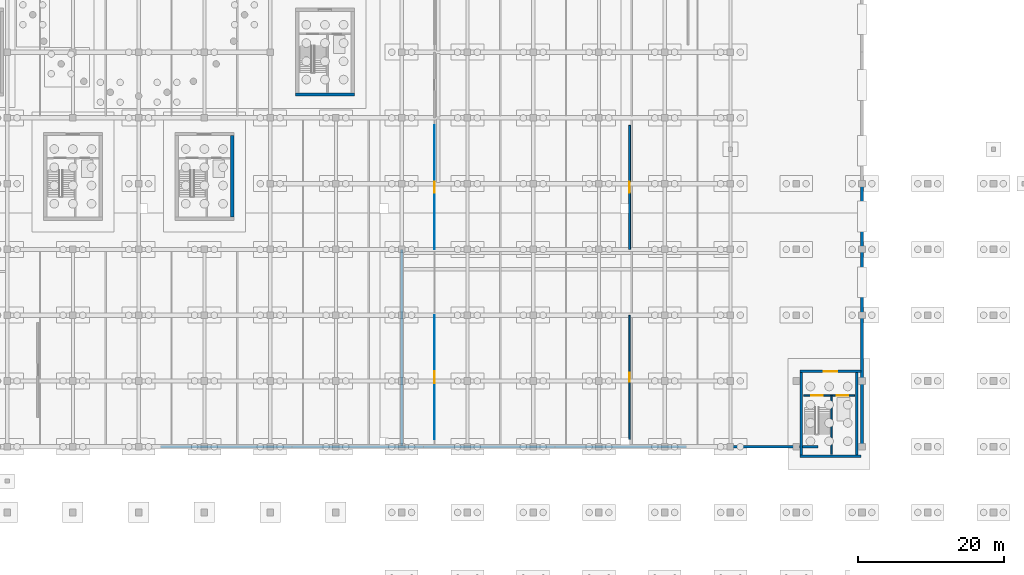
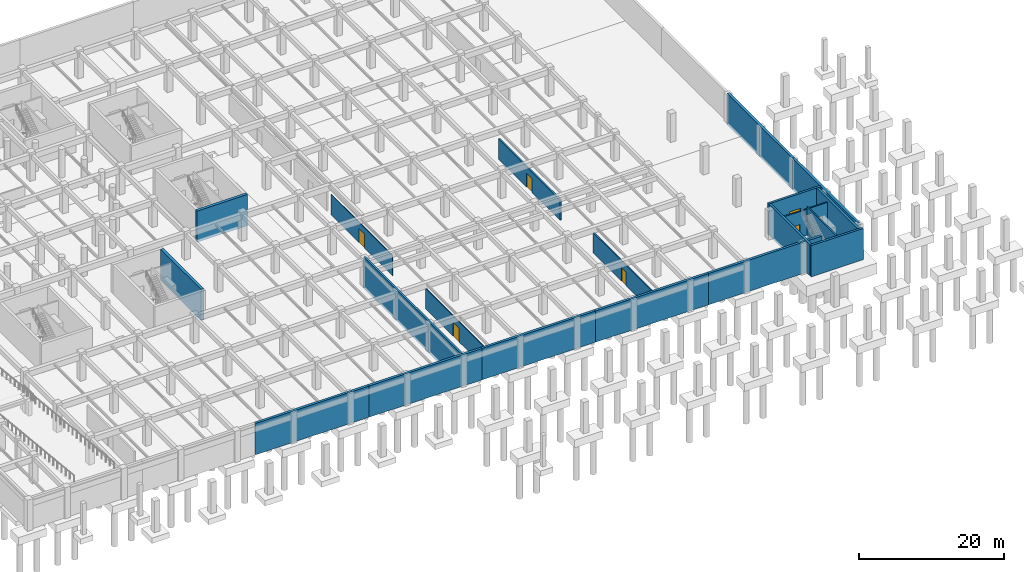
# One storey, part 19 of 27: 20 walls, 7 doors, 7 openings.
"""IFC4 building model written with IfcOpenShell, lengths in metres."""

from ifc_helpers import new_model, si_unit, direction, frame, frame_2d, origin, place, context, subcontext, project, spatial, rectangle, extrude, material, layer, layer_set, type_object, element, fill, save


model = new_model("IFC4")

# Units and contexts
model_context = context("Model", 3, precision=1e-05, world=origin(), true_north=direction((0.0, 1.0)))
body_context = subcontext(model_context, "Body", "Model", "MODEL_VIEW")
ifc_project = project(units=[si_unit("LENGTHUNIT", "METRE"), si_unit("AREAUNIT", "SQUARE_METRE"), si_unit("VOLUMEUNIT", "CUBIC_METRE"), si_unit("PLANEANGLEUNIT", "RADIAN"), si_unit("MASSUNIT", "GRAM", prefix="KILO")], contexts=[model_context])

# Site, building, storey
site_placement = place(None, origin())
site = spatial("IfcSite", under=ifc_project, at=site_placement, CompositionType="ELEMENT")
building_placement = place(site_placement, origin())
building = spatial("IfcBuilding", under=site, at=building_placement, Name="Dornveld Trade and Exhibition Forum", CompositionType="ELEMENT")
storey_placement = place(building_placement, frame((0.0, 0.0, -4.800048828125)))
storey = spatial("IfcBuildingStorey", under=building, at=storey_placement, Name="B1", CompositionType="ELEMENT", Elevation=-4.800048828125)

# Wall
ifc_material_1 = material(Name="Concrete C40/50", Category="concrete")
ifc_layer_1 = layer(ifc_material_1, 0.35009765625)
ifc_layer_set_1 = layer_set([ifc_layer_1], Name="Concrete C40/50")
wall_type_1 = type_object("IfcWallType", Name="WL-CORE-350", PredefinedType="SHEAR", material=ifc_layer_set_1)
wall_1_placement = place(storey_placement, frame((207.52490234375, 16.699951171875, -0.449951171875), z_axis=(0.0, 0.0, 1.0), x_axis=(1.0, 0.0, 0.0)))
element("IfcWall", 1, at=wall_1_placement, inside=storey, type_object=wall_type_1, Name="CORE-11 B1 shear wall S", PredefinedType="SHEAR", context=body_context, shape_type="SweptSolid", body=[
    extrude(rectangle(XDim=8.3251953125, YDim=0.35009765625, at=frame_2d((4.16259765625, 0.0))), origin(), (0.0, 0.0, 1.0), 5.25),
])

# Wall, opening, door
wall_2_placement = place(storey_placement, frame((207.52490234375, 28.300048828125, -0.449951171875), z_axis=(0.0, 0.0, 1.0), x_axis=(1.0, 0.0, 0.0)))
wall_2 = element("IfcWall", 2, at=wall_2_placement, inside=storey, type_object=wall_type_1, Name="CORE-11 B1 shear wall N", PredefinedType="SHEAR", context=body_context, shape_type="SweptSolid", body=[
    extrude(rectangle(XDim=8.3251953125, YDim=0.35009765625, at=frame_2d((4.16259765625, 0.0))), origin(), (0.0, 0.0, 1.0), 5.25),
])
opening_1_placement = place(wall_2_placement, frame((3.262451171875, 0.0, 0.449951171875)))
opening_1 = element("IfcOpeningElement", 3, at=opening_1_placement, cuts=wall_2, Name="Opening CD-11-B1", PredefinedType="OPENING", context=body_context, shape_type="SweptSolid", body=[
    extrude(rectangle(XDim=1.800048828125, YDim=2.300048828125, at=frame_2d((0.89990234375, 1.14990234375))), frame((0.0, 0.18505859375, 0.0), z_axis=(0.0, -1.0, 0.0), x_axis=(1.0, 0.0, 0.0)), (0.0, 0.0, 1.0), 0.3701171875),
])
ifc_material_2 = material(Name="Steel fire-rated double door assembly", Category="steel")
door_type_1 = type_object("IfcDoorType", Name="DR-CORE-180x230", OperationType="NOTDEFINED", PredefinedType="DOOR", material=ifc_material_2)
door_1_placement = place(opening_1_placement, origin())
door_1 = element("IfcDoor", 4, at=door_1_placement, inside=storey, type_object=door_type_1, Name="CORE-11 B1 core lobby double fire door", OperationType="DOUBLE_DOOR_SINGLE_SWING", OverallHeight=2.300048828125, OverallWidth=1.800048828125, PredefinedType="DOOR", context=body_context, shape_type="SweptSolid", body=[
    extrude(rectangle(XDim=1.800048828125, YDim=2.300048828125, at=frame_2d((0.89990234375, 1.14990234375))), frame((0.0, 0.02490234375, 0.0), z_axis=(0.0, -1.0, 0.0), x_axis=(1.0, 0.0, 0.0)), (0.0, 0.0, 1.0), 0.050048828125),
])
fill(opening_1, door_1)

# Walls
for number, where, z_axis, x_axis, name in (
    (5, (207.699951171875, 16.875, -0.449951171875), (0.0, 0.0, 1.0), (0.0, 1.0, 0.0), "CORE-11 B1 shear wall W"),
    (6, (215.300048828125, 16.875, -0.449951171875), (0.0, 0.0, 1.0), (0.0, 1.0, 0.0), "CORE-11 B1 shear wall E"),
):
    element("IfcWall", number, at=place(storey_placement, frame(where, z_axis=z_axis, x_axis=x_axis)), inside=storey, type_object=wall_type_1, Name=name, PredefinedType="SHEAR", context=body_context, shape_type="SweptSolid", body=[
        extrude(rectangle(XDim=11.25, YDim=0.35009765625, at=frame_2d((5.625, 0.0))), origin(), (0.0, 0.0, 1.0), 5.25),
    ])
ifc_material_3 = material(Name="Concrete C40/50", Category="concrete")
ifc_layer_2 = layer(ifc_material_3, 0.449951171875)
ifc_layer_set_2 = layer_set([ifc_layer_2], Name="Concrete C40/50")
wall_type_2 = type_object("IfcWallType", Name="WL-CORE-450", PredefinedType="SHEAR", material=ifc_layer_set_2)
wall_3_placement = place(storey_placement, frame((129.800048828125, 49.425048828125, -0.449951171875), z_axis=(0.0, 0.0, 1.0), x_axis=(0.0, 1.0, 0.0)))
element("IfcWall", 7, at=wall_3_placement, inside=storey, type_object=wall_type_2, Name="CORE-07 B1 shear wall E", PredefinedType="SHEAR", context=body_context, shape_type="SweptSolid", body=[
    extrude(rectangle(XDim=11.14990234375, YDim=0.449951171875, at=frame_2d((5.574951171875, 0.0))), origin(), (0.0, 0.0, 1.0), 5.25),
])
wall_4_placement = place(storey_placement, frame((138.47509765625, 66.199951171875, -0.449951171875), z_axis=(0.0, 0.0, 1.0), x_axis=(1.0, 0.0, 0.0)))
element("IfcWall", 8, at=wall_4_placement, inside=storey, type_object=wall_type_2, Name="CORE-08 B1 shear wall S", PredefinedType="SHEAR", context=body_context, shape_type="SweptSolid", body=[
    extrude(rectangle(XDim=8.0498046875, YDim=0.449951171875, at=frame_2d((4.02490234375, 0.0))), origin(), (0.0, 0.0, 1.0), 5.25),
])
ifc_material_4 = material(Name="Concrete C40/50", Category="concrete")
ifc_layer_3 = layer(ifc_material_4, 0.300048828125)
ifc_layer_set_3 = layer_set([ifc_layer_3], Name="Concrete C40/50")
wall_type_3 = type_object("IfcWallType", Name="WL-DIV-300", PredefinedType="SHEAR", material=ifc_layer_set_3)
wall_5_placement = place(storey_placement, frame((153.0, 18.0, -0.449951171875), z_axis=(0.0, 0.0, 1.0), x_axis=(0.0, 1.0, 0.0)))
element("IfcWall", 9, at=wall_5_placement, inside=storey, type_object=wall_type_3, Name="B1 fire division shear wall 3", PredefinedType="SHEAR", context=body_context, shape_type="SweptSolid", body=[
    extrude(rectangle(XDim=27.0, YDim=0.300048828125, at=frame_2d((13.5, 0.0))), origin(), (0.0, 0.0, 1.0), 5.25),
])

# Wall, opening, door
ifc_material_5 = material(Name="Acoustic twin-stud gypsum and mineral wool", Category="gypsum")
ifc_layer_4 = layer(ifc_material_5, 0.25)
ifc_layer_set_4 = layer_set([ifc_layer_4], Name="Acoustic twin-stud gypsum and mineral wool")
wall_type_4 = type_object("IfcWallType", Name="WL-INT-AC250", PredefinedType="PARTITIONING", material=ifc_layer_set_4)
wall_6_placement = place(storey_placement, frame((184.199951171875, 45.02001953125, 0.0), z_axis=(0.0, 0.0, 1.0), x_axis=(0.0, 1.0, 0.0)))
wall_6 = element("IfcWall", 10, at=wall_6_placement, inside=storey, type_object=wall_type_4, Name="B1 interior partition 15", PredefinedType="PARTITIONING", context=body_context, shape_type="SweptSolid", body=[
    extrude(rectangle(XDim=16.9599609375, YDim=0.25, at=frame_2d((8.47998046875, 0.0))), origin(), (0.0, 0.0, 1.0), 3.420166015625),
])
opening_2_placement = place(wall_6_placement, frame((7.72998046875, 0.0, 0.0)))
opening_2 = element("IfcOpeningElement", 11, at=opening_2_placement, cuts=wall_6, Name="Opening PD-02-005", PredefinedType="OPENING", context=body_context, shape_type="SweptSolid", body=[
    extrude(rectangle(XDim=1.5, YDim=2.300048828125, at=frame_2d((0.75, 1.14990234375))), frame((0.0, 0.135009765625, 0.0), z_axis=(0.0, -1.0, 0.0), x_axis=(1.0, 0.0, 0.0)), (0.0, 0.0, 1.0), 0.27001953125),
])
ifc_material_6 = material(Name="Galvanised steel plant double fire door", Category="steel")
door_type_2 = type_object("IfcDoorType", Name="DR-PLT-150x230", OperationType="NOTDEFINED", PredefinedType="DOOR", material=ifc_material_6)
door_2_placement = place(opening_2_placement, origin())
door_2 = element("IfcDoor", 12, at=door_2_placement, inside=storey, type_object=door_type_2, Name="B1 interior room door 5", OperationType="SINGLE_SWING_LEFT", OverallHeight=2.300048828125, OverallWidth=1.5, PredefinedType="DOOR", context=body_context, shape_type="SweptSolid", body=[
    extrude(rectangle(XDim=1.5, YDim=2.300048828125, at=frame_2d((0.75, 1.14990234375))), frame((0.0, 0.02490234375, 0.0), z_axis=(0.0, -1.0, 0.0), x_axis=(1.0, 0.0, 0.0)), (0.0, 0.0, 1.0), 0.050048828125),
])
fill(opening_2, door_2)

ifc_material_7 = material(Name="Fire-rated steel-stud gypsum board", Category="steel")
ifc_layer_5 = layer(ifc_material_7, 0.18505859375)
ifc_layer_set_5 = layer_set([ifc_layer_5], Name="Fire-rated steel-stud gypsum board")
wall_type_5 = type_object("IfcWallType", Name="WL-INT-FR185", PredefinedType="PARTITIONING", material=ifc_layer_set_5)
wall_7_placement = place(storey_placement, frame((184.199951171875, 19.02001953125, 0.0), z_axis=(0.0, 0.0, 1.0), x_axis=(0.0, 1.0, 0.0)))
wall_7 = element("IfcWall", 13, at=wall_7_placement, inside=storey, type_object=wall_type_5, Name="B1 interior partition 14", PredefinedType="PARTITIONING", context=body_context, shape_type="SweptSolid", body=[
    extrude(rectangle(XDim=16.9599609375, YDim=0.18505859375, at=frame_2d((8.47998046875, 0.0))), origin(), (0.0, 0.0, 1.0), 3.420166015625),
])
opening_3_placement = place(wall_7_placement, frame((7.85498046875, 0.0, 0.0)))
opening_3 = element("IfcOpeningElement", 14, at=opening_3_placement, cuts=wall_7, Name="Opening PD-04-004", PredefinedType="OPENING", context=body_context, shape_type="SweptSolid", body=[
    extrude(rectangle(XDim=1.25, YDim=2.25, at=frame_2d((0.625, 1.125))), frame((0.0, 0.1025390625, 0.0), z_axis=(0.0, -1.0, 0.0), x_axis=(1.0, 0.0, 0.0)), (0.0, 0.0, 1.0), 0.205078125),
])
ifc_material_8 = material(Name="Galvanised steel store fire door", Category="steel")
door_type_3 = type_object("IfcDoorType", Name="DR-PLT-125x225", OperationType="NOTDEFINED", PredefinedType="DOOR", material=ifc_material_8)
door_3_placement = place(opening_3_placement, origin())
door_3 = element("IfcDoor", 15, at=door_3_placement, inside=storey, type_object=door_type_3, Name="B1 interior room door 4", OperationType="SINGLE_SWING_RIGHT", OverallHeight=2.25, OverallWidth=1.25, PredefinedType="DOOR", context=body_context, shape_type="SweptSolid", body=[
    extrude(rectangle(XDim=1.25, YDim=2.25, at=frame_2d((0.625, 1.125))), frame((0.0, 0.02490234375, 0.0), z_axis=(0.0, -1.0, 0.0), x_axis=(1.0, 0.0, 0.0)), (0.0, 0.0, 1.0), 0.050048828125),
])
fill(opening_3, door_3)

ifc_material_9 = material(Name="Framed acoustic glass office partition", Category="glass")
ifc_layer_6 = layer(ifc_material_9, 0.10498046875)
ifc_layer_set_6 = layer_set([ifc_layer_6], Name="Framed acoustic glass office partition")
wall_type_6 = type_object("IfcWallType", Name="WL-INT-GL105", PredefinedType="PARTITIONING", material=ifc_layer_set_6)
wall_8_placement = place(storey_placement, frame((157.5, 45.02001953125, 0.0), z_axis=(0.0, 0.0, 1.0), x_axis=(0.0, 1.0, 0.0)))
wall_8 = element("IfcWall", 16, at=wall_8_placement, inside=storey, type_object=wall_type_6, Name="B1 interior partition 12", PredefinedType="PARTITIONING", context=body_context, shape_type="SweptSolid", body=[
    extrude(rectangle(XDim=16.9599609375, YDim=0.10498046875, at=frame_2d((8.47998046875, 0.0))), origin(), (0.0, 0.0, 1.0), 3.420166015625),
])
opening_4_placement = place(wall_8_placement, frame((7.72998046875, 0.0, 0.0)))
opening_4 = element("IfcOpeningElement", 17, at=opening_4_placement, cuts=wall_8, Name="Opening PD-02-002", PredefinedType="OPENING", context=body_context, shape_type="SweptSolid", body=[
    extrude(rectangle(XDim=1.5, YDim=2.300048828125, at=frame_2d((0.75, 1.14990234375))), frame((0.0, 0.0625, 0.0), z_axis=(0.0, -1.0, 0.0), x_axis=(1.0, 0.0, 0.0)), (0.0, 0.0, 1.0), 0.125),
])
door_4_placement = place(opening_4_placement, origin())
door_4 = element("IfcDoor", 18, at=door_4_placement, inside=storey, type_object=door_type_2, Name="B1 interior room door 2", OperationType="SINGLE_SWING_RIGHT", OverallHeight=2.300048828125, OverallWidth=1.5, PredefinedType="DOOR", context=body_context, shape_type="SweptSolid", body=[
    extrude(rectangle(XDim=1.5, YDim=2.300048828125, at=frame_2d((0.75, 1.14990234375))), frame((0.0, 0.02490234375, 0.0), z_axis=(0.0, -1.0, 0.0), x_axis=(1.0, 0.0, 0.0)), (0.0, 0.0, 1.0), 0.050048828125),
])
fill(opening_4, door_4)

# Wall, openings, doors
ifc_material_10 = material(Name="Concrete C40/50", Category="concrete")
ifc_layer_7 = layer(ifc_material_10, 0.219970703125)
ifc_layer_set_7 = layer_set([ifc_layer_7], Name="Concrete C40/50")
wall_type_7 = type_object("IfcWallType", Name="WL-INT-LOB220", PredefinedType="SOLIDWALL", material=ifc_layer_set_7)
wall_9_placement = place(storey_placement, frame((208.0, 25.0, 0.0), z_axis=(0.0, 0.0, 1.0), x_axis=(1.0, 0.0, 0.0)))
wall_9 = element("IfcWall", 19, at=wall_9_placement, inside=storey, type_object=wall_type_7, Name="CORE-11 B1 protected lobby bulkhead wall", PredefinedType="SOLIDWALL", context=body_context, shape_type="SweptSolid", body=[
    extrude(rectangle(XDim=7.0, YDim=0.219970703125, at=frame_2d((3.5, 0.0))), origin(), (0.0, 0.0, 1.0), 4.400146484375),
])
opening_5_placement = place(wall_9_placement, frame((1.050048828125, 0.0, 0.0)))
opening_5 = element("IfcOpeningElement", 20, at=opening_5_placement, cuts=wall_9, Name="Opening SD-11-B1", PredefinedType="OPENING", context=body_context, shape_type="SweptSolid", body=[
    extrude(rectangle(XDim=1.550048828125, YDim=2.199951171875, at=frame_2d((0.77490234375, 1.10009765625))), frame((0.0, 0.119873046875, 0.0), z_axis=(0.0, -1.0, 0.0), x_axis=(1.0, 0.0, 0.0)), (0.0, 0.0, 1.0), 0.239990234375),
])
opening_6_placement = place(wall_9_placement, frame((4.550048828125, 0.0, 0.0)))
opening_6 = element("IfcOpeningElement", 21, at=opening_6_placement, cuts=wall_9, Name="Opening LD-11-B1", PredefinedType="OPENING", context=body_context, shape_type="SweptSolid", body=[
    extrude(rectangle(XDim=1.60009765625, YDim=2.300048828125, at=frame_2d((0.800048828125, 1.14990234375))), frame((0.0, 0.119873046875, 0.0), z_axis=(0.0, -1.0, 0.0), x_axis=(1.0, 0.0, 0.0)), (0.0, 0.0, 1.0), 0.239990234375),
])
ifc_material_11 = material(Name="Heavy-duty steel sliding freight lift landing door", Category="steel")
door_type_4 = type_object("IfcDoorType", Name="DR-LIFT-160x230", OperationType="NOTDEFINED", PredefinedType="DOOR", material=ifc_material_11)
door_5_placement = place(opening_6_placement, origin())
door_5 = element("IfcDoor", 22, at=door_5_placement, inside=storey, type_object=door_type_4, Name="CORE-11 B1 lift sliding landing door", OperationType="SLIDING_TO_LEFT", OverallHeight=2.300048828125, OverallWidth=1.60009765625, PredefinedType="DOOR", context=body_context, shape_type="SweptSolid", body=[
    extrude(rectangle(XDim=1.60009765625, YDim=2.300048828125, at=frame_2d((0.800048828125, 1.14990234375))), frame((0.0, 0.02490234375, 0.0), z_axis=(0.0, -1.0, 0.0), x_axis=(1.0, 0.0, 0.0)), (0.0, 0.0, 1.0), 0.050048828125),
])
fill(opening_6, door_5)
ifc_material_12 = material(Name="Steel fire-rated stair door assembly", Category="steel")
door_type_5 = type_object("IfcDoorType", Name="DR-STAIR-155x220", OperationType="NOTDEFINED", PredefinedType="DOOR", material=ifc_material_12)
door_6_placement = place(opening_5_placement, origin())
door_6 = element("IfcDoor", 23, at=door_6_placement, inside=storey, type_object=door_type_5, Name="CORE-11 B1 protected stair door", OperationType="SINGLE_SWING_LEFT", OverallHeight=2.199951171875, OverallWidth=1.550048828125, PredefinedType="DOOR", context=body_context, shape_type="SweptSolid", body=[
    extrude(rectangle(XDim=1.550048828125, YDim=2.199951171875, at=frame_2d((0.77490234375, 1.10009765625))), frame((0.0, 0.02490234375, 0.0), z_axis=(0.0, -1.0, 0.0), x_axis=(1.0, 0.0, 0.0)), (0.0, 0.0, 1.0), 0.050048828125),
])
fill(opening_5, door_6)

# Wall
ifc_material_13 = material(Name="Concrete C40/50", Category="concrete")
ifc_layer_8 = layer(ifc_material_13, 0.199951171875)
ifc_layer_set_8 = layer_set([ifc_layer_8], Name="Concrete C40/50")
wall_type_8 = type_object("IfcWallType", Name="WL-INT-SHAFT200", PredefinedType="SOLIDWALL", material=ifc_layer_set_8)
wall_10_placement = place(storey_placement, frame((211.820068359375, 16.949951171875, -0.449951171875), z_axis=(0.0, 0.0, 1.0), x_axis=(0.0, 1.0, 0.0)))
element("IfcWall", 24, at=wall_10_placement, inside=storey, type_object=wall_type_8, Name="CORE-11 B1 lift-stair structural shaft wall", PredefinedType="SOLIDWALL", context=body_context, shape_type="SweptSolid", body=[
    extrude(rectangle(XDim=8.0, YDim=0.199951171875, at=frame_2d((4.0, 0.0))), origin(), (0.0, 0.0, 1.0), 5.25),
])

# Wall, opening, door
ifc_material_14 = material(Name="Moisture-resistant wet-room partition", Category="gypsum")
ifc_layer_9 = layer(ifc_material_14, 0.114990234375)
ifc_layer_set_9 = layer_set([ifc_layer_9], Name="Moisture-resistant wet-room partition")
wall_type_9 = type_object("IfcWallType", Name="WL-INT-WC115", PredefinedType="PARTITIONING", material=ifc_layer_set_9)
wall_11_placement = place(storey_placement, frame((157.5, 19.02001953125, 0.0), z_axis=(0.0, 0.0, 1.0), x_axis=(0.0, 1.0, 0.0)))
wall_11 = element("IfcWall", 25, at=wall_11_placement, inside=storey, type_object=wall_type_9, Name="B1 interior partition 11", PredefinedType="PARTITIONING", context=body_context, shape_type="SweptSolid", body=[
    extrude(rectangle(XDim=16.9599609375, YDim=0.114990234375, at=frame_2d((8.47998046875, 0.0))), origin(), (0.0, 0.0, 1.0), 3.420166015625),
])
opening_7_placement = place(wall_11_placement, frame((7.655029296875, 0.0, 0.0)))
opening_7 = element("IfcOpeningElement", 26, at=opening_7_placement, cuts=wall_11, Name="Opening PD-01-001", PredefinedType="OPENING", context=body_context, shape_type="SweptSolid", body=[
    extrude(rectangle(XDim=1.64990234375, YDim=2.35009765625, at=frame_2d((0.824951171875, 1.175048828125))), frame((0.0, 0.0673828125, 0.0), z_axis=(0.0, -1.0, 0.0), x_axis=(1.0, 0.0, 0.0)), (0.0, 0.0, 1.0), 0.135009765625),
])
ifc_material_15 = material(Name="Galvanised steel plant double fire door", Category="steel")
door_type_6 = type_object("IfcDoorType", Name="DR-PLT-165x235", OperationType="NOTDEFINED", PredefinedType="DOOR", material=ifc_material_15)
door_7_placement = place(opening_7_placement, origin())
door_7 = element("IfcDoor", 27, at=door_7_placement, inside=storey, type_object=door_type_6, Name="B1 interior room door 1", OperationType="SINGLE_SWING_LEFT", OverallHeight=2.35009765625, OverallWidth=1.64990234375, PredefinedType="DOOR", context=body_context, shape_type="SweptSolid", body=[
    extrude(rectangle(XDim=1.64990234375, YDim=2.35009765625, at=frame_2d((0.824951171875, 1.175048828125))), frame((0.0, 0.02490234375, 0.0), z_axis=(0.0, -1.0, 0.0), x_axis=(1.0, 0.0, 0.0)), (0.0, 0.0, 1.0), 0.050048828125),
])
fill(opening_7, door_7)

# Walls
ifc_material_16 = material(Name="Concrete C40/50", Category="concrete")
ifc_layer_10 = layer(ifc_material_16, 0.39990234375)
ifc_layer_set_10 = layer_set([ifc_layer_10], Name="Concrete C40/50")
wall_type_10 = type_object("IfcWallType", Name="WL-RET-400", PredefinedType="USERDEFINED", material=ifc_layer_set_10)
for number, where, z_axis, x_axis, name in (
    (28, (120.0, 18.0, -0.449951171875), (0.0, 0.0, 1.0), (1.0, 0.0, 0.0), "B1 retaining wall S bay 3"),
    (29, (138.0, 18.0, -0.449951171875), (0.0, 0.0, 1.0), (1.0, 0.0, 0.0), "B1 retaining wall S bay 4"),
    (30, (156.0, 18.0, -0.449951171875), (0.0, 0.0, 1.0), (1.0, 0.0, 0.0), "B1 retaining wall S bay 5"),
    (31, (174.0, 18.0, -0.449951171875), (0.0, 0.0, 1.0), (1.0, 0.0, 0.0), "B1 retaining wall S bay 6"),
    (32, (192.0, 18.0, -0.449951171875), (0.0, 0.0, 1.0), (1.0, 0.0, 0.0), "B1 retaining wall S bay 7"),
    (33, (216.0, 18.0, -0.449951171875), (0.0, 0.0, 1.0), (0.0, 1.0, 0.0), "B1 retaining wall E bay 1"),
    (34, (216.0, 36.0, -0.449951171875), (0.0, 0.0, 1.0), (0.0, 1.0, 0.0), "B1 retaining wall E bay 2"),
):
    element("IfcWall", number, at=place(storey_placement, frame(where, z_axis=z_axis, x_axis=x_axis)), inside=storey, type_object=wall_type_10, Name=name, ObjectType="RETAINING_WALL", PredefinedType="USERDEFINED", context=body_context, shape_type="SweptSolid", body=[
        extrude(rectangle(XDim=18.0, YDim=0.39990234375, at=frame_2d((9.0, 0.0))), origin(), (0.0, 0.0, 1.0), 5.25),
    ])

save(model, "model.ifc")
